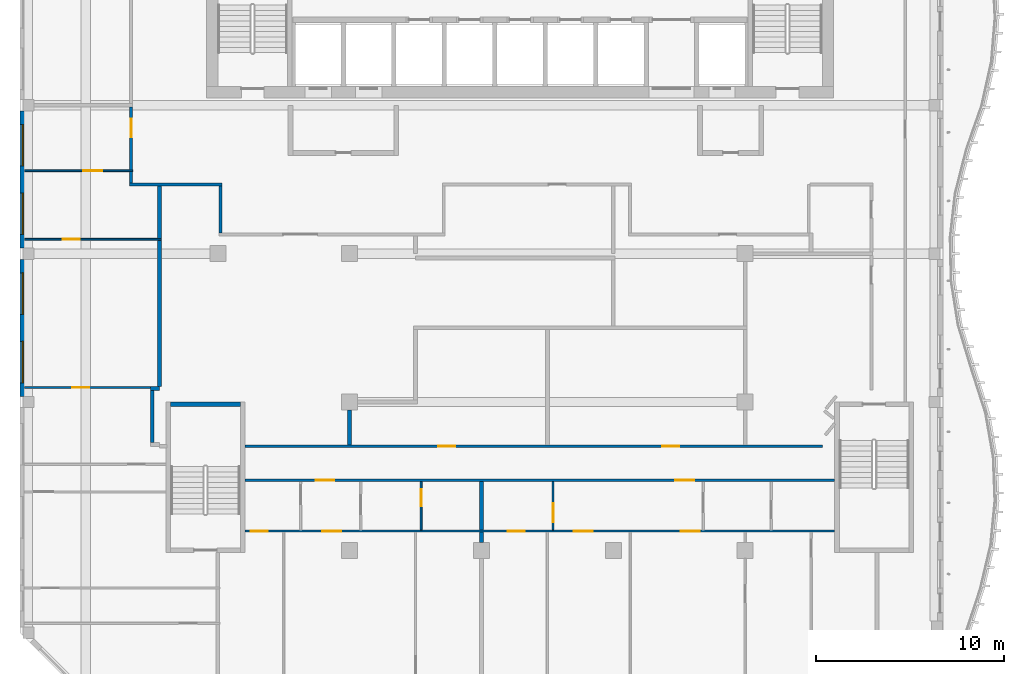
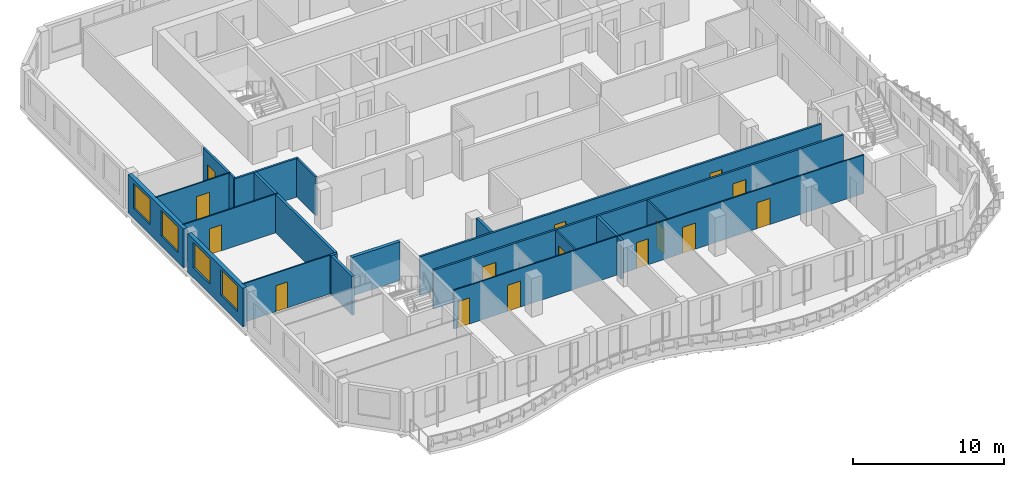
# One storey, part 3 of 17: 22 walls, 15 doors, 4 windows, 19 openings.
"""IFC4 building model written with IfcOpenShell, lengths in metres."""

from ifc_helpers import new_model, si_unit, direction, frame, frame_2d, origin, place, context, subcontext, project, spatial, rectangle, extrude, source, transform, mapped, material, layer, layer_set, type_object, element, fill, save


model = new_model("IFC4")

# Units and contexts
model_context = context("Model", 3, precision=1e-05, world=origin(), true_north=direction((0.0, 1.0)))
body_context = subcontext(model_context, "Body", "Model", "MODEL_VIEW")
ifc_project = project(units=[si_unit("LENGTHUNIT", "METRE"), si_unit("AREAUNIT", "SQUARE_METRE"), si_unit("VOLUMEUNIT", "CUBIC_METRE"), si_unit("PLANEANGLEUNIT", "RADIAN"), si_unit("MASSUNIT", "GRAM", prefix="KILO")], contexts=[model_context])

# Site, building, storey
site_placement = place(None, origin())
site = spatial("IfcSite", under=ifc_project, at=site_placement, CompositionType="ELEMENT")
building_placement = place(site_placement, origin())
building = spatial("IfcBuilding", under=site, at=building_placement, Name="Kilnfold Tower and Market Hall", CompositionType="ELEMENT")
storey_placement = place(building_placement, frame((0.0, 0.0, 298.39990234375)))
storey = spatial("IfcBuildingStorey", under=building, at=storey_placement, Name="L74", CompositionType="ELEMENT", Elevation=298.39990234375)

# Walls
ifc_material_1 = material(Name="Gypsum board on steel studs", Category="steel")
ifc_layer_1 = layer(ifc_material_1, 0.14990234375)
ifc_layer_set_1 = layer_set([ifc_layer_1], Name="Gypsum board on steel studs")
wall_type_1 = type_object("IfcWallType", Name="WALL CORRIDOR 150", PredefinedType="PARTITIONING", material=ifc_layer_set_1)
wall_1_placement = place(storey_placement, frame((-19.675048828125, 3.800048828125, 0.0), z_axis=(0.0, 0.0, 1.0), x_axis=(1.0, 0.0, 0.0)))
element("IfcWall", 1, at=wall_1_placement, inside=storey, type_object=wall_type_1, Name="Partition LY45.1", PredefinedType="PARTITIONING", context=body_context, shape_type="SweptSolid", body=[
    extrude(rectangle(XDim=4.89013671875, YDim=0.14990234375, at=frame_2d((2.445068359375, 0.0))), origin(), (0.0, 0.0, 1.0), 3.1201171875),
])
wall_2_placement = place(storey_placement, frame((-19.60009765625, 3.875, 0.0), z_axis=(0.0, 0.0, 1.0), x_axis=(0.0, 1.0, 0.0)))
element("IfcWall", 2, at=wall_2_placement, inside=storey, type_object=wall_type_1, Name="Partition LY45.2", PredefinedType="PARTITIONING", context=body_context, shape_type="SweptSolid", body=[
    extrude(rectangle(XDim=0.615966796875, YDim=0.14990234375, at=frame_2d((0.30810546875, 0.0))), origin(), (0.0, 0.0, 1.0), 3.1201171875),
])

# Wall, opening, door
wall_3_placement = place(storey_placement, frame((-19.60009765625, 4.571044921875, 0.0), z_axis=(0.0, 0.0, 1.0), x_axis=(0.0, 1.0, 0.0)))
wall_3 = element("IfcWall", 3, at=wall_3_placement, inside=storey, type_object=wall_type_1, Name="Partition LY45.3", PredefinedType="PARTITIONING", context=body_context, shape_type="SweptSolid", body=[
    extrude(rectangle(XDim=3.3388671875, YDim=0.14990234375, at=frame_2d((1.66943359375, 0.0))), origin(), (0.0, 0.0, 1.0), 3.1201171875),
])
opening_1_placement = place(wall_3_placement, frame((1.73095703125, 0.0, 0.0)))
opening_1 = element("IfcOpeningElement", 4, at=opening_1_placement, cuts=wall_3, Name="Opening D1", PredefinedType="OPENING", context=body_context, shape_type="SweptSolid", body=[
    extrude(rectangle(XDim=1.0, YDim=2.10009765625, at=frame_2d((0.5, 1.050048828125))), frame((0.0, 0.0849609375, 0.0), z_axis=(0.0, -1.0, 0.0), x_axis=(1.0, 0.0, 0.0)), (0.0, 0.0, 1.0), 0.169921875),
])
ifc_material_2 = material(Name="Timber veneer door leaf in steel frame", Category="steel")
door_type_1 = type_object("IfcDoorType", Name="DOOR ENTRY 1000 X2100", OperationType="NOTDEFINED", PredefinedType="DOOR", material=ifc_material_2)
door_1_placement = place(opening_1_placement, origin())
door_1 = element("IfcDoor", 5, at=door_1_placement, inside=storey, type_object=door_type_1, Name="Door D1", OperationType="SINGLE_SWING_LEFT", OverallHeight=2.10009765625, OverallWidth=1.0, PredefinedType="DOOR", context=body_context, shape_type="SweptSolid", body=[
    extrude(rectangle(XDim=1.0, YDim=2.10009765625, at=frame_2d((0.5, 1.050048828125))), frame((0.0, 0.02490234375, 0.0), z_axis=(0.0, -1.0, 0.0), x_axis=(1.0, 0.0, 0.0)), (0.0, 0.0, 1.0), 0.050048828125),
])
fill(opening_1, door_1)

# Wall, openings, doors
wall_4_placement = place(storey_placement, frame((-13.550048828125, -11.89990234375, 0.0), z_axis=(0.0, 0.0, 1.0), x_axis=(1.0, 0.0, 0.0)))
wall_4 = element("IfcWall", 6, at=wall_4_placement, inside=storey, type_object=wall_type_1, Name="Partition LY45.4", PredefinedType="PARTITIONING", context=body_context, shape_type="SweptSolid", body=[
    extrude(rectangle(XDim=31.300048828125, YDim=0.14990234375, at=frame_2d((15.64990234375, 0.0))), origin(), (0.0, 0.0, 1.0), 3.1201171875),
])
opening_2_placement = place(wall_4_placement, frame((3.7470703125, 0.0, 0.0)))
opening_2 = element("IfcOpeningElement", 7, at=opening_2_placement, cuts=wall_4, Name="Opening D1", PredefinedType="OPENING", context=body_context, shape_type="SweptSolid", body=[
    extrude(rectangle(XDim=1.0, YDim=2.10009765625, at=frame_2d((0.5, 1.050048828125))), frame((0.0, 0.0849609375, 0.0), z_axis=(0.0, -1.0, 0.0), x_axis=(1.0, 0.0, 0.0)), (0.0, 0.0, 1.0), 0.169921875),
])
opening_3_placement = place(wall_4_placement, frame((22.8349609375, 0.0, 0.0)))
opening_3 = element("IfcOpeningElement", 8, at=opening_3_placement, cuts=wall_4, Name="Opening D1", PredefinedType="OPENING", context=body_context, shape_type="SweptSolid", body=[
    extrude(rectangle(XDim=1.0, YDim=2.10009765625, at=frame_2d((0.5, 1.050048828125))), frame((0.0, 0.0849609375, 0.0), z_axis=(0.0, -1.0, 0.0), x_axis=(1.0, 0.0, 0.0)), (0.0, 0.0, 1.0), 0.169921875),
])
door_2_placement = place(opening_2_placement, origin())
door_2 = element("IfcDoor", 9, at=door_2_placement, inside=storey, type_object=door_type_1, Name="Door D1", OperationType="SINGLE_SWING_LEFT", OverallHeight=2.10009765625, OverallWidth=1.0, PredefinedType="DOOR", context=body_context, shape_type="SweptSolid", body=[
    extrude(rectangle(XDim=1.0, YDim=2.10009765625, at=frame_2d((0.5, 1.050048828125))), frame((0.0, 0.02490234375, 0.0), z_axis=(0.0, -1.0, 0.0), x_axis=(1.0, 0.0, 0.0)), (0.0, 0.0, 1.0), 0.050048828125),
])
fill(opening_2, door_2)
door_3_placement = place(opening_3_placement, origin())
door_3 = element("IfcDoor", 10, at=door_3_placement, inside=storey, type_object=door_type_1, Name="Door D1", OperationType="SINGLE_SWING_LEFT", OverallHeight=2.10009765625, OverallWidth=1.0, PredefinedType="DOOR", context=body_context, shape_type="SweptSolid", body=[
    extrude(rectangle(XDim=1.0, YDim=2.10009765625, at=frame_2d((0.5, 1.050048828125))), frame((0.0, 0.02490234375, 0.0), z_axis=(0.0, -1.0, 0.0), x_axis=(1.0, 0.0, 0.0)), (0.0, 0.0, 1.0), 0.050048828125),
])
fill(opening_3, door_3)

# Wall
wall_5_placement = place(storey_placement, frame((-14.860107421875, 3.72509765625, 0.0), z_axis=(0.0, 0.0, 1.0), x_axis=(0.0, -1.0, 0.0)))
element("IfcWall", 11, at=wall_5_placement, inside=storey, type_object=wall_type_1, Name="Partition LY45.10", PredefinedType="PARTITIONING", context=body_context, shape_type="SweptSolid", body=[
    extrude(rectangle(XDim=2.5, YDim=0.14990234375, at=frame_2d((1.25, 0.0))), origin(), (0.0, 0.0, 1.0), 3.1201171875),
])

# Wall, openings, doors
wall_6_placement = place(storey_placement, frame((-13.550048828125, -10.10009765625, 0.0), z_axis=(0.0, 0.0, 1.0), x_axis=(1.0, 0.0, 0.0)))
wall_6 = element("IfcWall", 12, at=wall_6_placement, inside=storey, type_object=wall_type_1, Name="Partition LY45.11", PredefinedType="PARTITIONING", context=body_context, shape_type="SweptSolid", body=[
    extrude(rectangle(XDim=30.650146484375, YDim=0.14990234375, at=frame_2d((15.3251953125, 0.0))), origin(), (0.0, 0.0, 1.0), 3.1201171875),
])
opening_4_placement = place(wall_6_placement, frame((10.25, 0.0, 0.0)))
opening_4 = element("IfcOpeningElement", 13, at=opening_4_placement, cuts=wall_6, Name="Opening D2", PredefinedType="OPENING", context=body_context, shape_type="SweptSolid", body=[
    extrude(rectangle(XDim=0.89990234375, YDim=2.10009765625, at=frame_2d((0.449951171875, 1.050048828125))), frame((0.0, 0.0849609375, 0.0), z_axis=(0.0, -1.0, 0.0), x_axis=(1.0, 0.0, 0.0)), (0.0, 0.0, 1.0), 0.169921875),
])
opening_5_placement = place(wall_6_placement, frame((22.153076171875, 0.0, 0.0)))
opening_5 = element("IfcOpeningElement", 14, at=opening_5_placement, cuts=wall_6, Name="Opening D2", PredefinedType="OPENING", context=body_context, shape_type="SweptSolid", body=[
    extrude(rectangle(XDim=0.89990234375, YDim=2.10009765625, at=frame_2d((0.449951171875, 1.050048828125))), frame((0.0, 0.0849609375, 0.0), z_axis=(0.0, -1.0, 0.0), x_axis=(1.0, 0.0, 0.0)), (0.0, 0.0, 1.0), 0.169921875),
])
ifc_material_3 = material(Name="Timber veneer door leaf in steel frame", Category="steel")
door_type_2 = type_object("IfcDoorType", Name="DOOR ROOM 900 X2100", OperationType="NOTDEFINED", PredefinedType="DOOR", material=ifc_material_3)
door_4_placement = place(opening_4_placement, origin())
door_4 = element("IfcDoor", 15, at=door_4_placement, inside=storey, type_object=door_type_2, Name="Door D2", OperationType="SINGLE_SWING_RIGHT", OverallHeight=2.10009765625, OverallWidth=0.89990234375, PredefinedType="DOOR", context=body_context, shape_type="SweptSolid", body=[
    extrude(rectangle(XDim=0.89990234375, YDim=2.10009765625, at=frame_2d((0.449951171875, 1.050048828125))), frame((0.0, 0.02490234375, 0.0), z_axis=(0.0, -1.0, 0.0), x_axis=(1.0, 0.0, 0.0)), (0.0, 0.0, 1.0), 0.050048828125),
])
fill(opening_4, door_4)
door_5_placement = place(opening_5_placement, origin())
door_5 = element("IfcDoor", 16, at=door_5_placement, inside=storey, type_object=door_type_2, Name="Door D2", OperationType="SINGLE_SWING_RIGHT", OverallHeight=2.10009765625, OverallWidth=0.89990234375, PredefinedType="DOOR", context=body_context, shape_type="SweptSolid", body=[
    extrude(rectangle(XDim=0.89990234375, YDim=2.10009765625, at=frame_2d((0.449951171875, 1.050048828125))), frame((0.0, 0.02490234375, 0.0), z_axis=(0.0, -1.0, 0.0), x_axis=(1.0, 0.0, 0.0)), (0.0, 0.0, 1.0), 0.050048828125),
])
fill(opening_5, door_5)

# Wall, opening, door
ifc_material_4 = material(Name="Gypsum board on steel studs", Category="steel")
ifc_layer_2 = layer(ifc_material_4, 0.10009765625)
ifc_layer_set_2 = layer_set([ifc_layer_2], Name="Gypsum board on steel studs")
wall_type_2 = type_object("IfcWallType", Name="WALL PARTITION 100", PredefinedType="PARTITIONING", material=ifc_layer_set_2)
wall_7_placement = place(storey_placement, frame((-18.58203125, -6.98095703125, 0.0), z_axis=(0.0, 0.0, 1.0), x_axis=(-1.0, 0.0, 0.0)))
wall_7 = element("IfcWall", 17, at=wall_7_placement, inside=storey, type_object=wall_type_2, Name="Partition LY45.30", PredefinedType="PARTITIONING", context=body_context, shape_type="SweptSolid", body=[
    extrude(rectangle(XDim=6.66796875, YDim=0.10009765625, at=frame_2d((3.333984375, 0.0))), origin(), (0.0, 0.0, 1.0), 3.1201171875),
])
opening_6_placement = place(wall_7_placement, frame((3.2490234375, 0.0, 0.0)))
opening_6 = element("IfcOpeningElement", 18, at=opening_6_placement, cuts=wall_7, Name="Opening D2", PredefinedType="OPENING", context=body_context, shape_type="SweptSolid", body=[
    extrude(rectangle(XDim=0.89990234375, YDim=2.10009765625, at=frame_2d((0.449951171875, 1.050048828125))), frame((0.0, 0.06005859375, 0.0), z_axis=(0.0, -1.0, 0.0), x_axis=(1.0, 0.0, 0.0)), (0.0, 0.0, 1.0), 0.1201171875),
])
door_6_placement = place(opening_6_placement, origin())
door_6 = element("IfcDoor", 19, at=door_6_placement, inside=storey, type_object=door_type_2, Name="Door D2", OperationType="SINGLE_SWING_RIGHT", OverallHeight=2.10009765625, OverallWidth=0.89990234375, PredefinedType="DOOR", context=body_context, shape_type="SweptSolid", body=[
    extrude(rectangle(XDim=0.89990234375, YDim=2.10009765625, at=frame_2d((0.449951171875, 1.050048828125))), frame((0.0, 0.02490234375, 0.0), z_axis=(0.0, -1.0, 0.0), x_axis=(1.0, 0.0, 0.0)), (0.0, 0.0, 1.0), 0.050048828125),
])
fill(opening_6, door_6)

wall_8_placement = place(storey_placement, frame((-18.0, 0.89404296875, 0.0), z_axis=(0.0, 0.0, 1.0), x_axis=(-1.0, 0.0, 0.0)))
wall_8 = element("IfcWall", 20, at=wall_8_placement, inside=storey, type_object=wall_type_2, Name="Partition LY45.35", PredefinedType="PARTITIONING", context=body_context, shape_type="SweptSolid", body=[
    extrude(rectangle(XDim=7.25, YDim=0.10009765625, at=frame_2d((3.625, 0.0))), origin(), (0.0, 0.0, 1.0), 3.1201171875),
])
opening_7_placement = place(wall_8_placement, frame((4.3349609375, 0.0, 0.0)))
opening_7 = element("IfcOpeningElement", 21, at=opening_7_placement, cuts=wall_8, Name="Opening D2", PredefinedType="OPENING", context=body_context, shape_type="SweptSolid", body=[
    extrude(rectangle(XDim=0.89990234375, YDim=2.10009765625, at=frame_2d((0.449951171875, 1.050048828125))), frame((0.0, 0.06005859375, 0.0), z_axis=(0.0, -1.0, 0.0), x_axis=(1.0, 0.0, 0.0)), (0.0, 0.0, 1.0), 0.1201171875),
])
door_7_placement = place(opening_7_placement, origin())
door_7 = element("IfcDoor", 22, at=door_7_placement, inside=storey, type_object=door_type_2, Name="Door D2", OperationType="SINGLE_SWING_LEFT", OverallHeight=2.10009765625, OverallWidth=0.89990234375, PredefinedType="DOOR", context=body_context, shape_type="SweptSolid", body=[
    extrude(rectangle(XDim=0.89990234375, YDim=2.10009765625, at=frame_2d((0.449951171875, 1.050048828125))), frame((0.0, 0.02490234375, 0.0), z_axis=(0.0, -1.0, 0.0), x_axis=(1.0, 0.0, 0.0)), (0.0, 0.0, 1.0), 0.050048828125),
])
fill(opening_7, door_7)

wall_9_placement = place(storey_placement, frame((-19.527099609375, 4.531005859375, 0.0), z_axis=(0.0, 0.0, 1.0), x_axis=(-1.0, 0.0, 0.0)))
wall_9 = element("IfcWall", 23, at=wall_9_placement, inside=storey, type_object=wall_type_2, Name="Partition LY45.37", PredefinedType="PARTITIONING", context=body_context, shape_type="SweptSolid", body=[
    extrude(rectangle(XDim=5.722900390625, YDim=0.10009765625, at=frame_2d((2.861328125, 0.0))), origin(), (0.0, 0.0, 1.0), 3.1201171875),
])
opening_8_placement = place(wall_9_placement, frame((1.60693359375, 0.0, 0.0)))
opening_8 = element("IfcOpeningElement", 24, at=opening_8_placement, cuts=wall_9, Name="Opening D1", PredefinedType="OPENING", context=body_context, shape_type="SweptSolid", body=[
    extrude(rectangle(XDim=1.0, YDim=2.10009765625, at=frame_2d((0.5, 1.050048828125))), frame((0.0, 0.06005859375, 0.0), z_axis=(0.0, -1.0, 0.0), x_axis=(1.0, 0.0, 0.0)), (0.0, 0.0, 1.0), 0.1201171875),
])
door_8_placement = place(opening_8_placement, origin())
door_8 = element("IfcDoor", 25, at=door_8_placement, inside=storey, type_object=door_type_1, Name="Door D1", OperationType="SINGLE_SWING_RIGHT", OverallHeight=2.10009765625, OverallWidth=1.0, PredefinedType="DOOR", context=body_context, shape_type="SweptSolid", body=[
    extrude(rectangle(XDim=1.0, YDim=2.10009765625, at=frame_2d((0.5, 1.050048828125))), frame((0.0, 0.02490234375, 0.0), z_axis=(0.0, -1.0, 0.0), x_axis=(1.0, 0.0, 0.0)), (0.0, 0.0, 1.0), 0.050048828125),
])
fill(opening_8, door_8)

# Wall, openings, doors
wall_10_placement = place(storey_placement, frame((-13.550048828125, -14.60009765625, 0.0), z_axis=(0.0, 0.0, 1.0), x_axis=(1.0, 0.0, 0.0)))
wall_10 = element("IfcWall", 26, at=wall_10_placement, inside=storey, type_object=wall_type_2, Name="Partition LY45.41", PredefinedType="PARTITIONING", context=body_context, shape_type="SweptSolid", body=[
    extrude(rectangle(XDim=31.300048828125, YDim=0.10009765625, at=frame_2d((15.64990234375, 0.0))), origin(), (0.0, 0.0, 1.0), 3.1201171875),
])
opening_9_placement = place(wall_10_placement, frame((0.30908203125, 0.0, 0.0)))
opening_9 = element("IfcOpeningElement", 27, at=opening_9_placement, cuts=wall_10, Name="Opening D2", PredefinedType="OPENING", context=body_context, shape_type="SweptSolid", body=[
    extrude(rectangle(XDim=0.89990234375, YDim=2.10009765625, at=frame_2d((0.449951171875, 1.050048828125))), frame((0.0, 0.06005859375, 0.0), z_axis=(0.0, -1.0, 0.0), x_axis=(1.0, 0.0, 0.0)), (0.0, 0.0, 1.0), 0.1201171875),
])
opening_10_placement = place(wall_10_placement, frame((4.10302734375, 0.0, 0.0)))
opening_10 = element("IfcOpeningElement", 28, at=opening_10_placement, cuts=wall_10, Name="Opening D1", PredefinedType="OPENING", context=body_context, shape_type="SweptSolid", body=[
    extrude(rectangle(XDim=1.0, YDim=2.10009765625, at=frame_2d((0.5, 1.050048828125))), frame((0.0, 0.06005859375, 0.0), z_axis=(0.0, -1.0, 0.0), x_axis=(1.0, 0.0, 0.0)), (0.0, 0.0, 1.0), 0.1201171875),
])
opening_11_placement = place(wall_10_placement, frame((13.955078125, 0.0, 0.0)))
opening_11 = element("IfcOpeningElement", 29, at=opening_11_placement, cuts=wall_10, Name="Opening D2", PredefinedType="OPENING", context=body_context, shape_type="SweptSolid", body=[
    extrude(rectangle(XDim=0.89990234375, YDim=2.10009765625, at=frame_2d((0.449951171875, 1.050048828125))), frame((0.0, 0.06005859375, 0.0), z_axis=(0.0, -1.0, 0.0), x_axis=(1.0, 0.0, 0.0)), (0.0, 0.0, 1.0), 0.1201171875),
])
opening_12_placement = place(wall_10_placement, frame((17.452880859375, 0.0, 0.0)))
opening_12 = element("IfcOpeningElement", 30, at=opening_12_placement, cuts=wall_10, Name="Opening D1", PredefinedType="OPENING", context=body_context, shape_type="SweptSolid", body=[
    extrude(rectangle(XDim=1.0, YDim=2.10009765625, at=frame_2d((0.5, 1.050048828125))), frame((0.0, 0.06005859375, 0.0), z_axis=(0.0, -1.0, 0.0), x_axis=(1.0, 0.0, 0.0)), (0.0, 0.0, 1.0), 0.1201171875),
])
opening_13_placement = place(wall_10_placement, frame((23.1298828125, 0.0, 0.0)))
opening_13 = element("IfcOpeningElement", 31, at=opening_13_placement, cuts=wall_10, Name="Opening D1", PredefinedType="OPENING", context=body_context, shape_type="SweptSolid", body=[
    extrude(rectangle(XDim=1.0, YDim=2.10009765625, at=frame_2d((0.5, 1.050048828125))), frame((0.0, 0.06005859375, 0.0), z_axis=(0.0, -1.0, 0.0), x_axis=(1.0, 0.0, 0.0)), (0.0, 0.0, 1.0), 0.1201171875),
])
door_9_placement = place(opening_10_placement, origin())
door_9 = element("IfcDoor", 32, at=door_9_placement, inside=storey, type_object=door_type_1, Name="Door D1", OperationType="SINGLE_SWING_RIGHT", OverallHeight=2.10009765625, OverallWidth=1.0, PredefinedType="DOOR", context=body_context, shape_type="SweptSolid", body=[
    extrude(rectangle(XDim=1.0, YDim=2.10009765625, at=frame_2d((0.5, 1.050048828125))), frame((0.0, 0.02490234375, 0.0), z_axis=(0.0, -1.0, 0.0), x_axis=(1.0, 0.0, 0.0)), (0.0, 0.0, 1.0), 0.050048828125),
])
fill(opening_10, door_9)
door_10_placement = place(opening_12_placement, origin())
door_10 = element("IfcDoor", 33, at=door_10_placement, inside=storey, type_object=door_type_1, Name="Door D1", OperationType="SINGLE_SWING_RIGHT", OverallHeight=2.10009765625, OverallWidth=1.0, PredefinedType="DOOR", context=body_context, shape_type="SweptSolid", body=[
    extrude(rectangle(XDim=1.0, YDim=2.10009765625, at=frame_2d((0.5, 1.050048828125))), frame((0.0, 0.02490234375, 0.0), z_axis=(0.0, -1.0, 0.0), x_axis=(1.0, 0.0, 0.0)), (0.0, 0.0, 1.0), 0.050048828125),
])
fill(opening_12, door_10)
door_11_placement = place(opening_13_placement, origin())
door_11 = element("IfcDoor", 34, at=door_11_placement, inside=storey, type_object=door_type_1, Name="Door D1", OperationType="SINGLE_SWING_LEFT", OverallHeight=2.10009765625, OverallWidth=1.0, PredefinedType="DOOR", context=body_context, shape_type="SweptSolid", body=[
    extrude(rectangle(XDim=1.0, YDim=2.10009765625, at=frame_2d((0.5, 1.050048828125))), frame((0.0, 0.02490234375, 0.0), z_axis=(0.0, -1.0, 0.0), x_axis=(1.0, 0.0, 0.0)), (0.0, 0.0, 1.0), 0.050048828125),
])
fill(opening_13, door_11)
door_12_placement = place(opening_9_placement, origin())
door_12 = element("IfcDoor", 35, at=door_12_placement, inside=storey, type_object=door_type_2, Name="Door D2", OperationType="SINGLE_SWING_RIGHT", OverallHeight=2.10009765625, OverallWidth=0.89990234375, PredefinedType="DOOR", context=body_context, shape_type="SweptSolid", body=[
    extrude(rectangle(XDim=0.89990234375, YDim=2.10009765625, at=frame_2d((0.449951171875, 1.050048828125))), frame((0.0, 0.02490234375, 0.0), z_axis=(0.0, -1.0, 0.0), x_axis=(1.0, 0.0, 0.0)), (0.0, 0.0, 1.0), 0.050048828125),
])
fill(opening_9, door_12)
door_13_placement = place(opening_11_placement, origin())
door_13 = element("IfcDoor", 36, at=door_13_placement, inside=storey, type_object=door_type_2, Name="Door D2", OperationType="SINGLE_SWING_LEFT", OverallHeight=2.10009765625, OverallWidth=0.89990234375, PredefinedType="DOOR", context=body_context, shape_type="SweptSolid", body=[
    extrude(rectangle(XDim=0.89990234375, YDim=2.10009765625, at=frame_2d((0.449951171875, 1.050048828125))), frame((0.0, 0.02490234375, 0.0), z_axis=(0.0, -1.0, 0.0), x_axis=(1.0, 0.0, 0.0)), (0.0, 0.0, 1.0), 0.050048828125),
])
fill(opening_11, door_13)

# Wall, opening, door
wall_11_placement = place(storey_placement, frame((-4.199951171875, -14.550048828125, 0.0), z_axis=(0.0, 0.0, 1.0), x_axis=(0.0, 1.0, 0.0)))
wall_11 = element("IfcWall", 37, at=wall_11_placement, inside=storey, type_object=wall_type_2, Name="Partition LY45.43", PredefinedType="PARTITIONING", context=body_context, shape_type="SweptSolid", body=[
    extrude(rectangle(XDim=2.572998046875, YDim=0.10009765625, at=frame_2d((1.28662109375, 0.0))), origin(), (0.0, 0.0, 1.0), 3.1201171875),
])
opening_14_placement = place(wall_11_placement, frame((1.260986328125, 0.0, 0.0)))
opening_14 = element("IfcOpeningElement", 38, at=opening_14_placement, cuts=wall_11, Name="Opening D2", PredefinedType="OPENING", context=body_context, shape_type="SweptSolid", body=[
    extrude(rectangle(XDim=0.89990234375, YDim=2.10009765625, at=frame_2d((0.449951171875, 1.050048828125))), frame((0.0, 0.06005859375, 0.0), z_axis=(0.0, -1.0, 0.0), x_axis=(1.0, 0.0, 0.0)), (0.0, 0.0, 1.0), 0.1201171875),
])
door_14_placement = place(opening_14_placement, origin())
door_14 = element("IfcDoor", 39, at=door_14_placement, inside=storey, type_object=door_type_2, Name="Door D2", OperationType="SINGLE_SWING_LEFT", OverallHeight=2.10009765625, OverallWidth=0.89990234375, PredefinedType="DOOR", context=body_context, shape_type="SweptSolid", body=[
    extrude(rectangle(XDim=0.89990234375, YDim=2.10009765625, at=frame_2d((0.449951171875, 1.050048828125))), frame((0.0, 0.02490234375, 0.0), z_axis=(0.0, -1.0, 0.0), x_axis=(1.0, 0.0, 0.0)), (0.0, 0.0, 1.0), 0.050048828125),
])
fill(opening_14, door_14)

wall_12_placement = place(storey_placement, frame((2.800048828125, -14.550048828125, 0.0), z_axis=(0.0, 0.0, 1.0), x_axis=(0.0, 1.0, 0.0)))
wall_12 = element("IfcWall", 40, at=wall_12_placement, inside=storey, type_object=wall_type_2, Name="Partition LY45.49", PredefinedType="PARTITIONING", context=body_context, shape_type="SweptSolid", body=[
    extrude(rectangle(XDim=2.572998046875, YDim=0.10009765625, at=frame_2d((1.28662109375, 0.0))), origin(), (0.0, 0.0, 1.0), 3.1201171875),
])
opening_15_placement = place(wall_12_placement, frame((0.4130859375, 0.0, 0.0)))
opening_15 = element("IfcOpeningElement", 41, at=opening_15_placement, cuts=wall_12, Name="Opening D1", PredefinedType="OPENING", context=body_context, shape_type="SweptSolid", body=[
    extrude(rectangle(XDim=1.0, YDim=2.10009765625, at=frame_2d((0.5, 1.050048828125))), frame((0.0, 0.06005859375, 0.0), z_axis=(0.0, -1.0, 0.0), x_axis=(1.0, 0.0, 0.0)), (0.0, 0.0, 1.0), 0.1201171875),
])
door_15_placement = place(opening_15_placement, origin())
door_15 = element("IfcDoor", 42, at=door_15_placement, inside=storey, type_object=door_type_1, Name="Door D1", OperationType="SINGLE_SWING_RIGHT", OverallHeight=2.10009765625, OverallWidth=1.0, PredefinedType="DOOR", context=body_context, shape_type="SweptSolid", body=[
    extrude(rectangle(XDim=1.0, YDim=2.10009765625, at=frame_2d((0.5, 1.050048828125))), frame((0.0, 0.02490234375, 0.0), z_axis=(0.0, -1.0, 0.0), x_axis=(1.0, 0.0, 0.0)), (0.0, 0.0, 1.0), 0.050048828125),
])
fill(opening_15, door_15)

# Walls
ifc_material_5 = material(Name="Gypsum board on steel studs", Category="steel")
ifc_layer_3 = layer(ifc_material_5, 0.199951171875)
ifc_layer_set_3 = layer_set([ifc_layer_3], Name="Gypsum board on steel studs")
wall_type_3 = type_object("IfcWallType", Name="WALL PARTY 200", PredefinedType="PARTITIONING", material=ifc_layer_set_3)
wall_13_placement = place(storey_placement, frame((-18.58203125, -7.029052734375, 0.0), z_axis=(0.0, 0.0, 1.0), x_axis=(1.0, 0.0, 0.0)))
element("IfcWall", 43, at=wall_13_placement, inside=storey, type_object=wall_type_3, Name="Partition LY45.32", PredefinedType="PARTITIONING", context=body_context, shape_type="SweptSolid", body=[
    extrude(rectangle(XDim=0.48193359375, YDim=0.199951171875, at=frame_2d((0.240966796875, 0.0))), origin(), (0.0, 0.0, 1.0), 3.1201171875),
])
wall_14_placement = place(storey_placement, frame((-18.48193359375, -9.902099609375, 0.0), z_axis=(0.0, 0.0, 1.0), x_axis=(0.0, 1.0, 0.0)))
element("IfcWall", 44, at=wall_14_placement, inside=storey, type_object=wall_type_3, Name="Partition LY45.33", PredefinedType="PARTITIONING", context=body_context, shape_type="SweptSolid", body=[
    extrude(rectangle(XDim=2.773193359375, YDim=0.199951171875, at=frame_2d((1.38671875, 0.0))), origin(), (0.0, 0.0, 1.0), 3.1201171875),
])
wall_15_placement = place(storey_placement, frame((-18.10009765625, -6.930908203125, 0.0), z_axis=(0.0, 0.0, 1.0), x_axis=(0.0, 1.0, 0.0)))
element("IfcWall", 45, at=wall_15_placement, inside=storey, type_object=wall_type_3, Name="Partition LY45.36", PredefinedType="PARTITIONING", context=body_context, shape_type="SweptSolid", body=[
    extrude(rectangle(XDim=7.77490234375, YDim=0.199951171875, at=frame_2d((3.887451171875, 0.0))), origin(), (0.0, 0.0, 1.0), 3.1201171875),
])
wall_16_placement = place(storey_placement, frame((-18.10009765625, 0.944091796875, 0.0), z_axis=(0.0, 0.0, 1.0), x_axis=(0.0, 1.0, 0.0)))
element("IfcWall", 46, at=wall_16_placement, inside=storey, type_object=wall_type_3, Name="Partition LY45.38", PredefinedType="PARTITIONING", context=body_context, shape_type="SweptSolid", body=[
    extrude(rectangle(XDim=2.77880859375, YDim=0.199951171875, at=frame_2d((1.389404296875, 0.0))), origin(), (0.0, 0.0, 1.0), 3.1201171875),
])
wall_17_placement = place(storey_placement, frame((-1.0, -14.550048828125, 0.0), z_axis=(0.0, 0.0, 1.0), x_axis=(0.0, 1.0, 0.0)))
element("IfcWall", 47, at=wall_17_placement, inside=storey, type_object=wall_type_3, Name="Partition LY45.44", PredefinedType="PARTITIONING", context=body_context, shape_type="SweptSolid", body=[
    extrude(rectangle(XDim=2.572998046875, YDim=0.199951171875, at=frame_2d((1.28662109375, 0.0))), origin(), (0.0, 0.0, 1.0), 3.1201171875),
])
wall_18_placement = place(storey_placement, frame((-1.0, -15.199951171875, 0.0), z_axis=(0.0, 0.0, 1.0), x_axis=(0.0, 1.0, 0.0)))
element("IfcWall", 48, at=wall_18_placement, inside=storey, type_object=wall_type_3, Name="Partition LY45.47", PredefinedType="PARTITIONING", context=body_context, shape_type="SweptSolid", body=[
    extrude(rectangle(XDim=0.5478515625, YDim=0.199951171875, at=frame_2d((0.27392578125, 0.0))), origin(), (0.0, 0.0, 1.0), 3.1201171875),
])
wall_19_placement = place(storey_placement, frame((-8.0, -10.02294921875, 0.0), z_axis=(0.0, 0.0, 1.0), x_axis=(0.0, 1.0, 0.0)))
element("IfcWall", 49, at=wall_19_placement, inside=storey, type_object=wall_type_3, Name="Partition LY45.65", PredefinedType="PARTITIONING", context=body_context, shape_type="SweptSolid", body=[
    extrude(rectangle(XDim=1.847900390625, YDim=0.199951171875, at=frame_2d((0.923828125, 0.0))), origin(), (0.0, 0.0, 1.0), 3.1201171875),
])
ifc_material_6 = material(Name="Concrete C50", Category="concrete")
ifc_layer_4 = layer(ifc_material_6, 0.25)
ifc_layer_set_4 = layer_set([ifc_layer_4], Name="Concrete C50")
wall_type_4 = type_object("IfcWallType", Name="CORE WALL 250 C50", PredefinedType="SHEAR", material=ifc_layer_set_4)
shared_shape_1 = source(origin(), body_context, "Body", "SweptSolid", [
    extrude(rectangle(XDim=3.699951171875, YDim=0.25, at=frame_2d((1.85009765625, 0.0))), origin(), (0.0, 0.0, 1.0), 3.1201171875),
])
wall_20_placement = place(storey_placement, frame((-17.5, -7.875, 0.0), z_axis=(0.0, 0.0, 1.0), x_axis=(1.0, 0.0, 0.0)))
element("IfcWall", 50, at=wall_20_placement, inside=storey, type_object=wall_type_4, Name="Stair enclosure ST3", PredefinedType="SHEAR", context=body_context, shape_type="MappedRepresentation", body=[
    mapped(shared_shape_1, transform((0.0, 0.0, 0.0))),
])

# Wall, openings, windows
ifc_material_7 = material(Name="Precast concrete C50/60", Category="concrete")
ifc_layer_5 = layer(ifc_material_7, 0.300048828125)
ifc_layer_set_5 = layer_set([ifc_layer_5], Name="Precast concrete C50/60")
wall_type_5 = type_object("IfcWallType", Name="PRECAST WALL 300", PredefinedType="SOLIDWALL", material=ifc_layer_set_5)
shared_shape_2 = source(origin(), body_context, "Body", "SweptSolid", [
    extrude(rectangle(XDim=7.27490234375, YDim=0.300048828125, at=frame_2d((3.637451171875, 0.0))), origin(), (0.0, 0.0, 1.0), 3.1201171875),
])
wall_21_placement = place(storey_placement, frame((-25.35009765625, 7.699951171875, 0.0), z_axis=(0.0, 0.0, 1.0), x_axis=(0.0, -1.0, 0.0)))
wall_21 = element("IfcWall", 51, at=wall_21_placement, inside=storey, type_object=wall_type_5, Name="External wall L74 W", PredefinedType="SOLIDWALL", context=body_context, shape_type="MappedRepresentation", body=[
    mapped(shared_shape_2, transform((0.0, 0.0, 0.0))),
])
opening_16_placement = place(wall_21_placement, frame((0.71875, 0.0, 0.800048828125)))
opening_16 = element("IfcOpeningElement", 52, at=opening_16_placement, cuts=wall_21, Name="Opening W3", PredefinedType="OPENING", context=body_context, shape_type="SweptSolid", body=[
    extrude(rectangle(XDim=2.199951171875, YDim=2.050048828125, at=frame_2d((1.10009765625, 1.02490234375))), frame((0.0, 0.16015625, 0.0), z_axis=(0.0, -1.0, 0.0), x_axis=(1.0, 0.0, 0.0)), (0.0, 0.0, 1.0), 0.320068359375),
])
opening_17_placement = place(wall_21_placement, frame((4.356201171875, 0.0, 0.800048828125)))
opening_17 = element("IfcOpeningElement", 53, at=opening_17_placement, cuts=wall_21, Name="Opening W3", PredefinedType="OPENING", context=body_context, shape_type="SweptSolid", body=[
    extrude(rectangle(XDim=2.199951171875, YDim=2.050048828125, at=frame_2d((1.10009765625, 1.02490234375))), frame((0.0, 0.16015625, 0.0), z_axis=(0.0, -1.0, 0.0), x_axis=(1.0, 0.0, 0.0)), (0.0, 0.0, 1.0), 0.320068359375),
])
ifc_material_8 = material(Name="Aluminium frame and double glazing", Category="aluminium")
window_type = type_object("IfcWindowType", Name="WINDOW W3 2200X2050", PartitioningType="SINGLE_PANEL", PredefinedType="WINDOW", material=ifc_material_8)
window_1_placement = place(opening_16_placement, origin())
window_1 = element("IfcWindow", 54, at=window_1_placement, inside=storey, type_object=window_type, Name="Window W3 L74 W-1", OverallHeight=2.050048828125, OverallWidth=2.199951171875, PartitioningType="SINGLE_PANEL", PredefinedType="WINDOW", context=body_context, shape_type="SweptSolid", body=[
    extrude(rectangle(XDim=2.199951171875, YDim=2.050048828125, at=frame_2d((1.10009765625, 1.02490234375))), frame((0.0, 0.030029296875, 0.0), z_axis=(0.0, -1.0, 0.0), x_axis=(1.0, 0.0, 0.0)), (0.0, 0.0, 1.0), 0.06005859375),
])
fill(opening_16, window_1)
window_2_placement = place(opening_17_placement, origin())
window_2 = element("IfcWindow", 55, at=window_2_placement, inside=storey, type_object=window_type, Name="Window W3 L74 W-2", OverallHeight=2.050048828125, OverallWidth=2.199951171875, PartitioningType="SINGLE_PANEL", PredefinedType="WINDOW", context=body_context, shape_type="SweptSolid", body=[
    extrude(rectangle(XDim=2.199951171875, YDim=2.050048828125, at=frame_2d((1.10009765625, 1.02490234375))), frame((0.0, 0.030029296875, 0.0), z_axis=(0.0, -1.0, 0.0), x_axis=(1.0, 0.0, 0.0)), (0.0, 0.0, 1.0), 0.06005859375),
])
fill(opening_17, window_2)

wall_22_placement = place(storey_placement, frame((-25.35009765625, -0.175048828125, 0.0), z_axis=(0.0, 0.0, 1.0), x_axis=(0.0, -1.0, 0.0)))
wall_22 = element("IfcWall", 56, at=wall_22_placement, inside=storey, type_object=wall_type_5, Name="External wall L74 W", PredefinedType="SOLIDWALL", context=body_context, shape_type="MappedRepresentation", body=[
    mapped(shared_shape_2, transform((0.0, 0.0, 0.0))),
])
opening_18_placement = place(wall_22_placement, frame((0.71875, 0.0, 0.800048828125)))
opening_18 = element("IfcOpeningElement", 57, at=opening_18_placement, cuts=wall_22, Name="Opening W3", PredefinedType="OPENING", context=body_context, shape_type="SweptSolid", body=[
    extrude(rectangle(XDim=2.199951171875, YDim=2.050048828125, at=frame_2d((1.10009765625, 1.02490234375))), frame((0.0, 0.16015625, 0.0), z_axis=(0.0, -1.0, 0.0), x_axis=(1.0, 0.0, 0.0)), (0.0, 0.0, 1.0), 0.320068359375),
])
opening_19_placement = place(wall_22_placement, frame((4.356201171875, 0.0, 0.800048828125)))
opening_19 = element("IfcOpeningElement", 58, at=opening_19_placement, cuts=wall_22, Name="Opening W3", PredefinedType="OPENING", context=body_context, shape_type="SweptSolid", body=[
    extrude(rectangle(XDim=2.199951171875, YDim=2.050048828125, at=frame_2d((1.10009765625, 1.02490234375))), frame((0.0, 0.16015625, 0.0), z_axis=(0.0, -1.0, 0.0), x_axis=(1.0, 0.0, 0.0)), (0.0, 0.0, 1.0), 0.320068359375),
])
window_3_placement = place(opening_18_placement, origin())
window_3 = element("IfcWindow", 59, at=window_3_placement, inside=storey, type_object=window_type, Name="Window W3 L74 W-1", OverallHeight=2.050048828125, OverallWidth=2.199951171875, PartitioningType="SINGLE_PANEL", PredefinedType="WINDOW", context=body_context, shape_type="SweptSolid", body=[
    extrude(rectangle(XDim=2.199951171875, YDim=2.050048828125, at=frame_2d((1.10009765625, 1.02490234375))), frame((0.0, 0.030029296875, 0.0), z_axis=(0.0, -1.0, 0.0), x_axis=(1.0, 0.0, 0.0)), (0.0, 0.0, 1.0), 0.06005859375),
])
fill(opening_18, window_3)
window_4_placement = place(opening_19_placement, origin())
window_4 = element("IfcWindow", 60, at=window_4_placement, inside=storey, type_object=window_type, Name="Window W3 L74 W-2", OverallHeight=2.050048828125, OverallWidth=2.199951171875, PartitioningType="SINGLE_PANEL", PredefinedType="WINDOW", context=body_context, shape_type="SweptSolid", body=[
    extrude(rectangle(XDim=2.199951171875, YDim=2.050048828125, at=frame_2d((1.10009765625, 1.02490234375))), frame((0.0, 0.030029296875, 0.0), z_axis=(0.0, -1.0, 0.0), x_axis=(1.0, 0.0, 0.0)), (0.0, 0.0, 1.0), 0.06005859375),
])
fill(opening_19, window_4)

save(model, "model.ifc")
